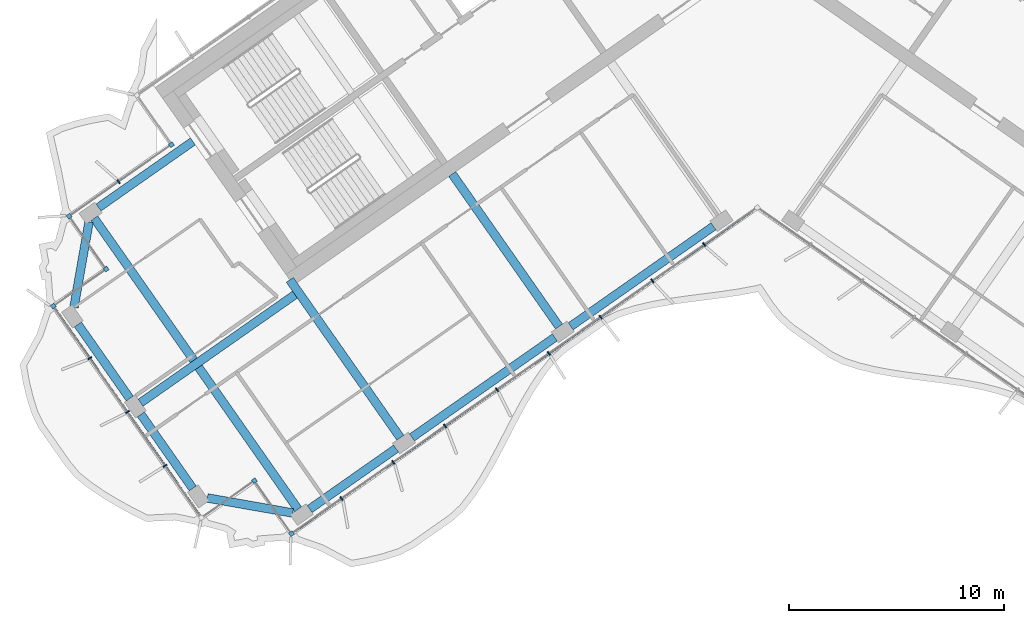
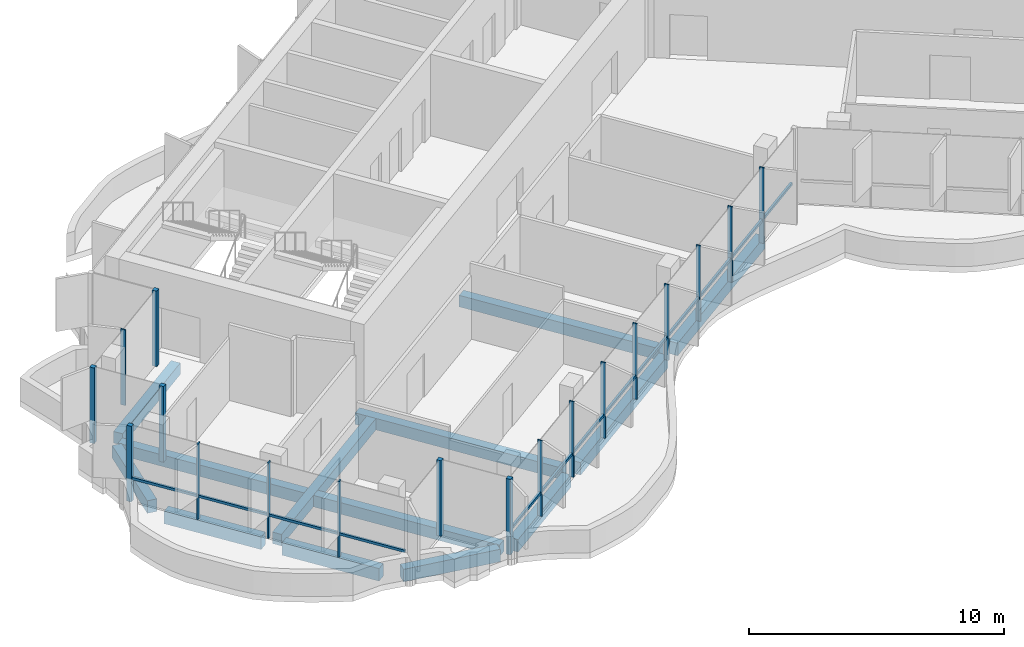
# One storey, part 2 of 20: 20 members, 12 beams, 2 elements without a shape of their own.
"""IFC4 building model written with IfcOpenShell, lengths in metres."""

from ifc_helpers import new_model, si_unit, direction, frame, origin, origin_2d, place, context, subcontext, project, spatial, rectangle, extrude, material, material_profile, profile_set, type_object, element, aggregate, save


model = new_model("IFC4")

# Units and contexts
model_context = context("Model", 3, precision=1e-05, world=origin(), true_north=direction((0.0, 1.0)))
body_context = subcontext(model_context, "Body", "Model", "MODEL_VIEW")
ifc_project = project(units=[si_unit("LENGTHUNIT", "METRE"), si_unit("AREAUNIT", "SQUARE_METRE"), si_unit("VOLUMEUNIT", "CUBIC_METRE"), si_unit("PLANEANGLEUNIT", "RADIAN"), si_unit("MASSUNIT", "GRAM", prefix="KILO")], contexts=[model_context])

# Site, building, storey
site_placement = place(None, origin())
site = spatial("IfcSite", under=ifc_project, at=site_placement, CompositionType="ELEMENT")
building_placement = place(site_placement, origin())
building = spatial("IfcBuilding", under=site, at=building_placement, Name="Tel Ilan Convention Tower", CompositionType="ELEMENT")
storey_placement = place(building_placement, frame((0.0, 0.0, 237.10009765625)))
storey = spatial("IfcBuildingStorey", under=building, at=storey_placement, Name="L55", CompositionType="ELEMENT", Elevation=237.10009765625)

# Beams
ifc_material_1 = material(Name="Concrete C40/50", Category="concrete")
ifc_material_profile_1 = material_profile(ifc_material_1, rectangle(XDim=0.39990234375, YDim=0.550048828125, at=origin_2d()), Name="RC 400x550")
ifc_profile_set_1 = profile_set([ifc_material_profile_1], Name="Concrete C40/50")
beam_type_1 = type_object("IfcBeamType", Name="Beam RC 400x550 Concrete C40/50", PredefinedType="BEAM", material=ifc_profile_set_1)
beam_1_placement = place(storey_placement, frame((-30.6005859375, -12.6982421875, -0.55517578125), z_axis=(0.819146154531, 0.573584847705, 0.0), x_axis=(-0.573584847705, 0.819146154531, 0.0)))
element("IfcBeam", 1, at=beam_1_placement, inside=storey, type_object=beam_type_1, Name="L55 beam W-W-BC-core", PredefinedType="BEAM", context=body_context, shape_type="SweptSolid", body=[
    extrude(rectangle(XDim=0.39990234375, YDim=0.550048828125, at=origin_2d()), origin(), (0.0, 0.0, 1.0), 5.349853515625),
])
beam_2_placement = place(storey_placement, frame((-9.209716796875, -18.229248046875, -0.55517578125), z_axis=(-0.573574099654, 0.819153680457, 0.0), x_axis=(-0.819153680457, -0.573574099654, 0.0)))
element("IfcBeam", 2, at=beam_2_placement, inside=storey, type_object=beam_type_1, Name="L55 beam W-W-F2-core", PredefinedType="BEAM", context=body_context, shape_type="SweptSolid", body=[
    extrude(rectangle(XDim=0.39990234375, YDim=0.550048828125, at=origin_2d()), origin(), (0.0, 0.0, 1.0), 8.64990234375),
])
beam_3_placement = place(storey_placement, frame((-16.58203125, -23.391357421875, -0.55517578125), z_axis=(-0.573584999642, 0.819146048141, 0.0), x_axis=(-0.819146048141, -0.573584999642, 0.0)))
element("IfcBeam", 3, at=beam_3_placement, inside=storey, type_object=beam_type_1, Name="L55 beam W-W-F3-core", PredefinedType="BEAM", context=body_context, shape_type="SweptSolid", body=[
    extrude(rectangle(XDim=0.39990234375, YDim=0.550048828125, at=origin_2d()), origin(), (0.0, 0.0, 1.0), 8.949951171875),
])
beam_4_placement = place(storey_placement, frame((-21.477783203125, -16.748046875, -0.55517578125), z_axis=(-0.819157197737, -0.573569076395, 0.0), x_axis=(0.573569076395, -0.819157197737, 0.0)))
element("IfcBeam", 4, at=beam_4_placement, inside=storey, type_object=beam_type_1, Name="L55 beam W-core-end", PredefinedType="BEAM", context=body_context, shape_type="SweptSolid", body=[
    extrude(rectangle(XDim=0.39990234375, YDim=0.550048828125, at=origin_2d()), origin(), (0.0, 0.0, 1.0), 8.75),
])
beam_5_placement = place(storey_placement, frame((-21.333251953125, -26.718017578125, -0.55517578125), z_axis=(-0.573574554643, 0.819153361872, 0.0), x_axis=(-0.819153361872, -0.573574554643, 0.0)))
element("IfcBeam", 5, at=beam_5_placement, inside=storey, type_object=beam_type_1, Name="L55 beam W-W-FC-W-BC", PredefinedType="BEAM", context=body_context, shape_type="SweptSolid", body=[
    extrude(rectangle(XDim=0.39990234375, YDim=0.550048828125, at=origin_2d()), origin(), (0.0, 0.0, 1.0), 16.499755859375),
])
ifc_material_2 = material(Name="Concrete C40/50", Category="concrete")
ifc_material_profile_2 = material_profile(ifc_material_2, rectangle(XDim=0.39990234375, YDim=0.60009765625, at=origin_2d()), Name="RC 400x600")
ifc_profile_set_2 = profile_set([ifc_material_profile_2], Name="Concrete C40/50")
beam_type_2 = type_object("IfcBeamType", Name="Beam RC 400x600 Concrete C40/50", PredefinedType="BEAM", material=ifc_profile_set_2)
beam_6_placement = place(storey_placement, frame((-2.033935546875, -13.57080078125, -0.580078125), z_axis=(-0.81914553362, -0.573585734437, 0.0), x_axis=(0.573585734437, -0.81914553362, 0.0)))
element("IfcBeam", 6, at=beam_6_placement, inside=storey, type_object=beam_type_2, Name="L55 beam W-W-F1-W-F2", PredefinedType="BEAM", context=body_context, shape_type="SweptSolid", body=[
    extrude(rectangle(XDim=0.39990234375, YDim=0.60009765625, at=origin_2d()), origin(), (0.0, 0.0, 1.0), 8.099853515625),
])
beam_7_placement = place(storey_placement, frame((-9.40625, -18.73291015625, -0.580078125), z_axis=(-0.819155449703, -0.573571572885, 0.0), x_axis=(0.573571572885, -0.819155449703, 0.0)))
element("IfcBeam", 7, at=beam_7_placement, inside=storey, type_object=beam_type_2, Name="L55 beam W-W-F2-W-F3", PredefinedType="BEAM", context=body_context, shape_type="SweptSolid", body=[
    extrude(rectangle(XDim=0.39990234375, YDim=0.60009765625, at=origin_2d()), origin(), (0.0, 0.0, 1.0), 8.10009765625),
])
beam_8_placement = place(storey_placement, frame((-16.778564453125, -23.895263671875, -0.580078125), z_axis=(-0.819154669329, -0.573572687386, 0.0), x_axis=(0.573572687386, -0.819154669329, 0.0)))
element("IfcBeam", 8, at=beam_8_placement, inside=storey, type_object=beam_type_2, Name="L55 beam W-W-F3-W-FC", PredefinedType="BEAM", context=body_context, shape_type="SweptSolid", body=[
    extrude(rectangle(XDim=0.39990234375, YDim=0.60009765625, at=origin_2d()), origin(), (0.0, 0.0, 1.0), 4.900146484375),
])
beam_9_placement = place(storey_placement, frame((-21.578857421875, -26.89013671875, -0.580078125), z_axis=(-0.984804894423, 0.173664388751, 0.0), x_axis=(-0.173664388751, -0.984804894423, 0.0)))
element("IfcBeam", 9, at=beam_9_placement, inside=storey, type_object=beam_type_2, Name="L55 beam W-W-FC-W-E1", PredefinedType="BEAM", context=body_context, shape_type="SweptSolid", body=[
    extrude(rectangle(XDim=0.39990234375, YDim=0.60009765625, at=origin_2d()), origin(), (0.0, 0.0, 1.0), 4.030517578125),
])
for number, where, z_axis, x_axis, name in (
    (10, (-26.22412109375, -25.748046875, -0.580078125), (-0.573563773994, 0.819160910421, 0.0), (-0.819160910421, -0.573563773994, 0.0), "L55 beam W-W-E1-W-E2"),
    (11, (-29.1494140625, -21.5703125, -0.580078125), (-0.573563773994, 0.819160910421, 0.0), (-0.819160910421, -0.573563773994, 0.0), "L55 beam W-W-E2-W-E3"),
):
    element("IfcBeam", number, at=place(storey_placement, frame(where, z_axis=z_axis, x_axis=x_axis)), inside=storey, type_object=beam_type_2, Name=name, PredefinedType="BEAM", context=body_context, shape_type="SweptSolid", body=[
        extrude(rectangle(XDim=0.39990234375, YDim=0.60009765625, at=origin_2d()), origin(), (0.0, 0.0, 1.0), 4.199951171875),
    ])
beam_10_placement = place(storey_placement, frame((-31.742919921875, -17.343505859375, -0.580078125), z_axis=(0.173664388751, 0.984804894423, 0.0), x_axis=(-0.984804894423, 0.173664388751, 0.0)))
element("IfcBeam", 12, at=beam_10_placement, inside=storey, type_object=beam_type_2, Name="L55 beam W-W-E3-W-BC", PredefinedType="BEAM", context=body_context, shape_type="SweptSolid", body=[
    extrude(rectangle(XDim=0.39990234375, YDim=0.60009765625, at=origin_2d()), origin(), (0.0, 0.0, 1.0), 4.030517578125),
])

# Curtain wall, member
ifc_material_3 = material(Name="Aluminium, bronze anodised", Category="aluminium")
curtain_wall_type_1 = type_object("IfcCurtainWallType", Name="CW2 STICK CURTAIN WALL, SPANDREL PANELS", PredefinedType="NOTDEFINED", material=ifc_material_3)
curtain_wall_1_placement = place(storey_placement, origin())
curtain_wall_1 = element("IfcCurtainWall", 13, at=curtain_wall_1_placement, inside=storey, type_object=curtain_wall_type_1, Name="Curtain wall CW2-42.01", PredefinedType="NOTDEFINED")
ifc_material_4 = material(Name="Aluminium, bronze anodised", Category="aluminium")
ifc_material_profile_3 = material_profile(ifc_material_4, rectangle(XDim=0.199951171875, YDim=0.199951171875, at=origin_2d()), Name="CW CORNER MULLION 200x200")
ifc_profile_set_3 = profile_set([ifc_material_profile_3], Name="Aluminium, bronze anodised")
member_type_1 = type_object("IfcMemberType", Name="CW CORNER MULLION 200x200", PredefinedType="MULLION", material=ifc_profile_set_3)
member_1_placement = place(storey_placement, frame((-27.213623046875, -9.77734375, 0.0), z_axis=(0.0, 0.0, 1.0), x_axis=(0.573576436351, -0.819152044289, 0.0)))
member_1 = element("IfcMember", 14, at=member_1_placement, type_object=member_type_1, Name="Corner mullion", PredefinedType="MULLION", context=body_context, shape_type="SweptSolid", body=[
    extrude(rectangle(XDim=0.199951171875, YDim=0.199951171875, at=origin_2d()), origin(), (0.0, 0.0, 1.0), 3.619873046875),
])
aggregate(curtain_wall_1, [member_1])

# Curtain wall, members
ifc_material_5 = material(Name="Aluminium, bronze anodised", Category="aluminium")
curtain_wall_type_2 = type_object("IfcCurtainWallType", Name="CW5 STICK CURTAIN WALL, UPPER OFFICE LOW-IRON TINTED GLASS", PredefinedType="NOTDEFINED", material=ifc_material_5)
curtain_wall_2_placement = place(storey_placement, origin())
curtain_wall_2 = element("IfcCurtainWall", 15, at=curtain_wall_2_placement, inside=storey, type_object=curtain_wall_type_2, Name="Curtain wall CW5-42.02", PredefinedType="NOTDEFINED")
member_2_placement = place(storey_placement, frame((-31.964599609375, -13.10400390625, 0.0), z_axis=(0.0, 0.0, 1.0), x_axis=(-0.819152044289, -0.573576436351, 0.0)))
member_2 = element("IfcMember", 16, at=member_2_placement, type_object=member_type_1, Name="Corner mullion", PredefinedType="MULLION", context=body_context, shape_type="SweptSolid", body=[
    extrude(rectangle(XDim=0.199951171875, YDim=0.199951171875, at=origin_2d()), origin(), (0.0, 0.0, 1.0), 3.619873046875),
])
member_3_placement = place(storey_placement, frame((-30.243896484375, -15.5615234375, 0.0), z_axis=(0.0, 0.0, 1.0), x_axis=(0.573576436351, -0.819152044289, 0.0)))
member_3 = element("IfcMember", 17, at=member_3_placement, type_object=member_type_1, Name="Corner mullion", PredefinedType="MULLION", context=body_context, shape_type="SweptSolid", body=[
    extrude(rectangle(XDim=0.199951171875, YDim=0.199951171875, at=origin_2d()), origin(), (0.0, 0.0, 1.0), 3.619873046875),
])
member_4_placement = place(storey_placement, frame((-32.701416015625, -17.2822265625, 0.0), z_axis=(0.0, 0.0, 1.0), x_axis=(-0.819152044289, -0.573576436351, 0.0)))
member_4 = element("IfcMember", 18, at=member_4_placement, type_object=member_type_1, Name="Corner mullion", PredefinedType="MULLION", context=body_context, shape_type="SweptSolid", body=[
    extrude(rectangle(XDim=0.199951171875, YDim=0.199951171875, at=origin_2d()), origin(), (0.0, 0.0, 1.0), 3.619873046875),
])
member_5_placement = place(storey_placement, frame((-23.36083984375, -25.391357421875, 0.0), z_axis=(0.0, 0.0, 1.0), x_axis=(0.819152044289, 0.573576436351, 0.0)))
member_5 = element("IfcMember", 19, at=member_5_placement, type_object=member_type_1, Name="Corner mullion", PredefinedType="MULLION", context=body_context, shape_type="SweptSolid", body=[
    extrude(rectangle(XDim=0.199951171875, YDim=0.199951171875, at=origin_2d()), origin(), (0.0, 0.0, 1.0), 3.619873046875),
])
member_6_placement = place(storey_placement, frame((-21.64013671875, -27.8486328125, 0.0), z_axis=(0.0, 0.0, 1.0), x_axis=(0.573576436351, -0.819152044289, 0.0)))
member_6 = element("IfcMember", 20, at=member_6_placement, type_object=member_type_1, Name="Corner mullion", PredefinedType="MULLION", context=body_context, shape_type="SweptSolid", body=[
    extrude(rectangle(XDim=0.199951171875, YDim=0.199951171875, at=origin_2d()), origin(), (0.0, 0.0, 1.0), 3.619873046875),
])
ifc_material_6 = material(Name="Aluminium, bronze anodised", Category="aluminium")
ifc_material_profile_4 = material_profile(ifc_material_6, rectangle(XDim=0.06005859375, YDim=0.199951171875, at=origin_2d()), Name="CW MULLION 60x200")
ifc_profile_set_4 = profile_set([ifc_material_profile_4], Name="Aluminium, bronze anodised")
member_type_2 = type_object("IfcMemberType", Name="CW MULLION 60x200", PredefinedType="MULLION", material=ifc_profile_set_4)
member_7_placement = place(storey_placement, frame((-29.6708984375, -11.498046875, 0.0), z_axis=(0.0, 0.0, 1.0), x_axis=(-0.819152044289, -0.573576436351, 0.0)))
member_7 = element("IfcMember", 21, at=member_7_placement, type_object=member_type_2, Name="Mullion", PredefinedType="MULLION", context=body_context, shape_type="SweptSolid", body=[
    extrude(rectangle(XDim=0.06005859375, YDim=0.199951171875, at=origin_2d()), origin(), (0.0, 0.0, 1.0), 3.619873046875),
])
member_8_placement = place(storey_placement, frame((-31.00927734375, -19.69873046875, 0.0), z_axis=(0.0, 0.0, 1.0), x_axis=(0.573576436351, -0.819152044289, 0.0)))
member_8 = element("IfcMember", 22, at=member_8_placement, type_object=member_type_2, Name="Mullion", PredefinedType="MULLION", context=body_context, shape_type="SweptSolid", body=[
    extrude(rectangle(XDim=0.06005859375, YDim=0.199951171875, at=origin_2d()), origin(), (0.0, 0.0, 1.0), 3.619873046875),
])
member_9_placement = place(storey_placement, frame((-29.259765625, -22.197021484375, 0.0), z_axis=(0.0, 0.0, 1.0), x_axis=(0.573576436351, -0.819152044289, 0.0)))
member_9 = element("IfcMember", 23, at=member_9_placement, type_object=member_type_2, Name="Mullion", PredefinedType="MULLION", context=body_context, shape_type="SweptSolid", body=[
    extrude(rectangle(XDim=0.06005859375, YDim=0.199951171875, at=origin_2d()), origin(), (0.0, 0.0, 1.0), 3.619873046875),
])
member_10_placement = place(storey_placement, frame((-27.510498046875, -24.695556640625, 0.0), z_axis=(0.0, 0.0, 1.0), x_axis=(0.573576436351, -0.819152044289, 0.0)))
member_10 = element("IfcMember", 24, at=member_10_placement, type_object=member_type_2, Name="Mullion", PredefinedType="MULLION", context=body_context, shape_type="SweptSolid", body=[
    extrude(rectangle(XDim=0.06005859375, YDim=0.199951171875, at=origin_2d()), origin(), (0.0, 0.0, 1.0), 3.619873046875),
])
member_11_placement = place(storey_placement, frame((-19.31494140625, -26.220458984375, 0.0), z_axis=(0.0, 0.0, 1.0), x_axis=(0.819152044289, 0.573576436351, 0.0)))
member_11 = element("IfcMember", 25, at=member_11_placement, type_object=member_type_2, Name="Mullion", PredefinedType="MULLION", context=body_context, shape_type="SweptSolid", body=[
    extrude(rectangle(XDim=0.06005859375, YDim=0.199951171875, at=origin_2d()), origin(), (0.0, 0.0, 1.0), 3.619873046875),
])
member_12_placement = place(storey_placement, frame((-16.90771484375, -24.534912109375, 0.0), z_axis=(0.0, 0.0, 1.0), x_axis=(0.819152044289, 0.573576436351, 0.0)))
member_12 = element("IfcMember", 26, at=member_12_placement, type_object=member_type_2, Name="Mullion", PredefinedType="MULLION", context=body_context, shape_type="SweptSolid", body=[
    extrude(rectangle(XDim=0.06005859375, YDim=0.199951171875, at=origin_2d()), origin(), (0.0, 0.0, 1.0), 3.619873046875),
])
member_13_placement = place(storey_placement, frame((-14.50048828125, -22.849365234375, 0.0), z_axis=(0.0, 0.0, 1.0), x_axis=(0.819152044289, 0.573576436351, 0.0)))
member_13 = element("IfcMember", 27, at=member_13_placement, type_object=member_type_2, Name="Mullion", PredefinedType="MULLION", context=body_context, shape_type="SweptSolid", body=[
    extrude(rectangle(XDim=0.06005859375, YDim=0.199951171875, at=origin_2d()), origin(), (0.0, 0.0, 1.0), 3.619873046875),
])
member_14_placement = place(storey_placement, frame((-12.09326171875, -21.163818359375, 0.0), z_axis=(0.0, 0.0, 1.0), x_axis=(0.819152044289, 0.573576436351, 0.0)))
member_14 = element("IfcMember", 28, at=member_14_placement, type_object=member_type_2, Name="Mullion", PredefinedType="MULLION", context=body_context, shape_type="SweptSolid", body=[
    extrude(rectangle(XDim=0.06005859375, YDim=0.199951171875, at=origin_2d()), origin(), (0.0, 0.0, 1.0), 3.619873046875),
])
member_15_placement = place(storey_placement, frame((-9.68603515625, -19.478271484375, 0.0), z_axis=(0.0, 0.0, 1.0), x_axis=(0.819152044289, 0.573576436351, 0.0)))
member_15 = element("IfcMember", 29, at=member_15_placement, type_object=member_type_2, Name="Mullion", PredefinedType="MULLION", context=body_context, shape_type="SweptSolid", body=[
    extrude(rectangle(XDim=0.06005859375, YDim=0.199951171875, at=origin_2d()), origin(), (0.0, 0.0, 1.0), 3.619873046875),
])
member_16_placement = place(storey_placement, frame((-7.279052734375, -17.792724609375, 0.0), z_axis=(0.0, 0.0, 1.0), x_axis=(0.819152044289, 0.573576436351, 0.0)))
member_16 = element("IfcMember", 30, at=member_16_placement, type_object=member_type_2, Name="Mullion", PredefinedType="MULLION", context=body_context, shape_type="SweptSolid", body=[
    extrude(rectangle(XDim=0.06005859375, YDim=0.199951171875, at=origin_2d()), origin(), (0.0, 0.0, 1.0), 3.619873046875),
])
member_17_placement = place(storey_placement, frame((-4.871826171875, -16.107177734375, 0.0), z_axis=(0.0, 0.0, 1.0), x_axis=(0.819152044289, 0.573576436351, 0.0)))
member_17 = element("IfcMember", 31, at=member_17_placement, type_object=member_type_2, Name="Mullion", PredefinedType="MULLION", context=body_context, shape_type="SweptSolid", body=[
    extrude(rectangle(XDim=0.06005859375, YDim=0.199951171875, at=origin_2d()), origin(), (0.0, 0.0, 1.0), 3.619873046875),
])
member_18_placement = place(storey_placement, frame((-2.464599609375, -14.421875, 0.0), z_axis=(0.0, 0.0, 1.0), x_axis=(0.819152044289, 0.573576436351, 0.0)))
member_18 = element("IfcMember", 32, at=member_18_placement, type_object=member_type_2, Name="Mullion", PredefinedType="MULLION", context=body_context, shape_type="SweptSolid", body=[
    extrude(rectangle(XDim=0.06005859375, YDim=0.199951171875, at=origin_2d()), origin(), (0.0, 0.0, 1.0), 3.619873046875),
])
ifc_material_7 = material(Name="Aluminium, bronze anodised", Category="aluminium")
ifc_material_profile_5 = material_profile(ifc_material_7, rectangle(XDim=0.10009765625, YDim=0.1201171875, at=origin_2d()), Name="CW TRANSOM 100x120")
ifc_profile_set_5 = profile_set([ifc_material_profile_5], Name="Aluminium, bronze anodised")
member_type_3 = type_object("IfcMemberType", Name="CW TRANSOM 100x120", PredefinedType="USERDEFINED", material=ifc_profile_set_5)
member_19_placement = place(storey_placement, frame((-32.64404296875, -17.364013671875, 1.099853515625), z_axis=(0.573581755582, -0.819148319698, 0.0), x_axis=(0.819148319698, 0.573581755582, 0.0)))
member_19 = element("IfcMember", 33, at=member_19_placement, type_object=member_type_3, Name="Transom", ObjectType="TRANSOM", PredefinedType="USERDEFINED", context=body_context, shape_type="SweptSolid", body=[
    extrude(rectangle(XDim=0.10009765625, YDim=0.1201171875, at=origin_2d()), origin(), (0.0, 0.0, 1.0), 11.800048828125),
])
member_20_placement = place(storey_placement, frame((-21.558349609375, -27.791259765625, 1.099853515625), z_axis=(0.819152212587, 0.573576195996, 0.0), x_axis=(-0.573576195996, 0.819152212587, 0.0)))
member_20 = element("IfcMember", 34, at=member_20_placement, type_object=member_type_3, Name="Transom", ObjectType="TRANSOM", PredefinedType="USERDEFINED", context=body_context, shape_type="SweptSolid", body=[
    extrude(rectangle(XDim=0.10009765625, YDim=0.1201171875, at=origin_2d()), origin(), (0.0, 0.0, 1.0), 26.0478515625),
])
aggregate(curtain_wall_2, [member_7, member_2, member_3, member_4, member_8, member_9, member_10, member_19, member_5, member_6, member_11, member_12, member_13, member_14, member_15, member_16, member_17, member_18, member_20])

save(model, "model.ifc")
